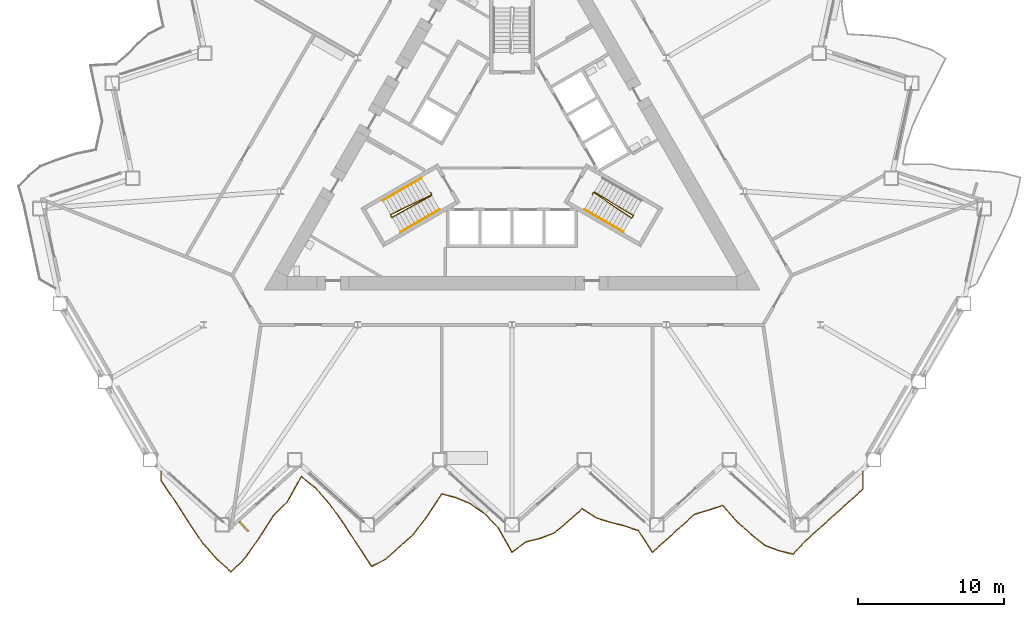
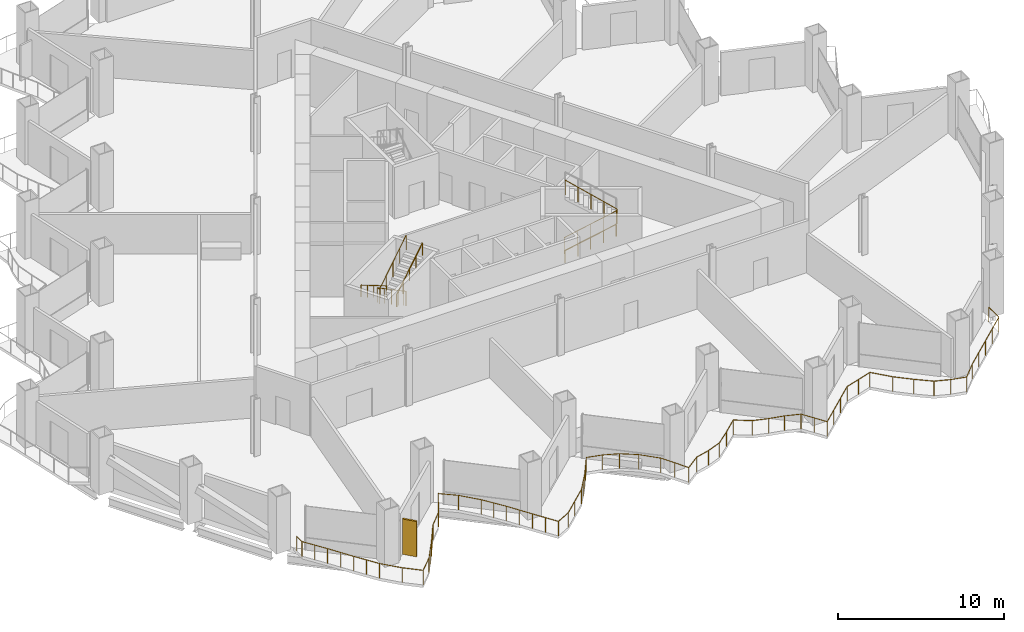
# One storey, part 16 of 20: 6 railings, 1 shading device.
"""IFC4 building model written with IfcOpenShell, lengths in metres."""

from ifc_helpers import new_model, si_unit, direction, frame, origin, origin_2d, place, context, subcontext, project, spatial, rectangle, circle, extrude, material, layer, layer_set, type_object, element, save


model = new_model("IFC4")

# Units and contexts
model_context = context("Model", 3, precision=1e-05, world=origin(), true_north=direction((0.0, 1.0)))
body_context = subcontext(model_context, "Body", "Model", "MODEL_VIEW")
ifc_project = project(units=[si_unit("LENGTHUNIT", "METRE"), si_unit("AREAUNIT", "SQUARE_METRE"), si_unit("VOLUMEUNIT", "CUBIC_METRE"), si_unit("PLANEANGLEUNIT", "RADIAN"), si_unit("MASSUNIT", "GRAM", prefix="KILO")], contexts=[model_context])

# Site, building, storey
site_placement = place(None, origin())
site = spatial("IfcSite", under=ifc_project, at=site_placement, CompositionType="ELEMENT")
building_placement = place(site_placement, origin())
building = spatial("IfcBuilding", under=site, at=building_placement, Name="Cormorant Prow Tower", CompositionType="ELEMENT")
storey_placement = place(building_placement, frame((0.0, 0.0, 38.39990234375)))
storey = spatial("IfcBuildingStorey", under=building, at=storey_placement, Name="L07", CompositionType="ELEMENT", Elevation=38.39990234375)

# Railings
ifc_material_1 = material(Name="Aluminium 6063-T6", Category="aluminium")
railing_type_1 = type_object("IfcRailingType", Name="Balcony guard 1100", PredefinedType="GUARDRAIL", material=ifc_material_1)
railing_1_placement = place(storey_placement, frame((-24.087890625, -22.2685546875, 0.0)))
element("IfcRailing", 1, at=railing_1_placement, inside=storey, type_object=railing_type_1, Name="Balcony guard S", PredefinedType="GUARDRAIL", context=body_context, shape_type="SweptSolid", body=[
    extrude(circle(Radius=0.02392578125, at=origin_2d()), frame((0.0, 0.0, 1.076171875), z_axis=(0.0, -1.0, 0.0), x_axis=(1.0, 0.0, 0.0)), (0.0, 0.0, 1.0), 0.63623046875),
    extrude(circle(Radius=0.02392578125, at=origin_2d()), frame((0.0, -0.63623046875, 1.076171875), z_axis=(0.564130420865, -0.825685695804, 0.0), x_axis=(0.825685695804, 0.564130420865, 0.0)), (0.0, 0.0, 1.0), 1.708251953125),
    extrude(circle(Radius=0.02392578125, at=origin_2d()), frame((0.963623046875, -2.046630859375, 1.076171875), z_axis=(0.541242645962, -0.840866456812, 0.0), x_axis=(0.840866456812, 0.541242645962, 0.0)), (0.0, 0.0, 1.0), 1.7802734375),
    extrude(circle(Radius=0.02392578125, at=origin_2d()), frame((1.92724609375, -3.543701171875, 1.076171875), z_axis=(0.560389601216, -0.828229131853, 0.0), x_axis=(0.828229131853, 0.560389601216, 0.0)), (0.0, 0.0, 1.0), 1.71923828125),
    extrude(circle(Radius=0.02392578125, at=origin_2d()), frame((2.890625, -4.967529296875, 1.076171875), z_axis=(0.668253524619, -0.743933617223, 0.0), x_axis=(0.743933617223, 0.668253524619, 0.0)), (0.0, 0.0, 1.0), 1.44189453125),
    extrude(circle(Radius=0.02392578125, at=origin_2d()), frame((3.854248046875, -6.040283203125, 1.076171875), z_axis=(0.743050653284, -0.669235180378, 0.0), x_axis=(0.669235180378, 0.743050653284, 0.0)), (0.0, 0.0, 1.0), 1.296630859375),
    extrude(circle(Radius=0.02392578125, at=origin_2d()), frame((4.817626953125, -6.907958984375, 1.076171875), z_axis=(0.708182499572, 0.70602942382, 0.0), x_axis=(-0.70602942382, 0.708182499572, 0.0)), (0.0, 0.0, 1.0), 1.360595703125),
    extrude(circle(Radius=0.02392578125, at=origin_2d()), frame((5.78125, -5.947265625, 1.076171875), z_axis=(0.572245109374, 0.820082639005, 0.0), x_axis=(-0.820082639005, 0.572245109374, 0.0)), (0.0, 0.0, 1.0), 1.68359375),
    extrude(circle(Radius=0.02392578125, at=origin_2d()), frame((6.74462890625, -4.566650390625, 1.076171875), z_axis=(0.542180058603, 0.840262330498, 0.0), x_axis=(-0.840262330498, 0.542180058603, 0.0)), (0.0, 0.0, 1.0), 1.77734375),
    extrude(circle(Radius=0.02392578125, at=origin_2d()), frame((7.708251953125, -3.0732421875, 1.076171875), z_axis=(0.699000899641, 0.715120788609, 0.0), x_axis=(-0.715120788609, 0.699000899641, 0.0)), (0.0, 0.0, 1.0), 1.378173828125),
    extrude(circle(Radius=0.02392578125, at=origin_2d()), frame((8.671630859375, -2.087646484375, 1.076171875), z_axis=(0.489672110006, 0.871906660533, 0.0), x_axis=(-0.871906660533, 0.489672110006, 0.0)), (0.0, 0.0, 1.0), 1.9677734375),
    extrude(circle(Radius=0.02392578125, at=origin_2d()), frame((9.63525390625, -0.371826171875, 1.076171875), z_axis=(0.780173921778, -0.625562668146, 0.0), x_axis=(0.625562668146, 0.780173921778, 0.0)), (0.0, 0.0, 1.0), 1.23486328125),
    extrude(circle(Radius=0.02392578125, at=origin_2d()), frame((10.5986328125, -1.144287109375, 1.076171875), z_axis=(0.663142839826, -0.748492868362, 0.0), x_axis=(0.748492868362, 0.663142839826, 0.0)), (0.0, 0.0, 1.0), 1.453125),
    extrude(circle(Radius=0.02392578125, at=origin_2d()), frame((11.562255859375, -2.23193359375, 1.076171875), z_axis=(0.581712103696, -0.813394755586, 0.0), x_axis=(0.813394755586, 0.581712103696, 0.0)), (0.0, 0.0, 1.0), 1.656494140625),
    extrude(circle(Radius=0.02392578125, at=origin_2d()), frame((12.52587890625, -3.579345703125, 1.076171875), z_axis=(0.54421734082, -0.83894426868, 0.0), x_axis=(0.83894426868, 0.54421734082, 0.0)), (0.0, 0.0, 1.0), 1.770263671875),
    extrude(circle(Radius=0.02392578125, at=origin_2d()), frame((13.4892578125, -5.064453125, 1.076171875), z_axis=(0.549133466839, -0.835734668179, 0.0), x_axis=(0.835734668179, 0.549133466839, 0.0)), (0.0, 0.0, 1.0), 1.7548828125),
    extrude(circle(Radius=0.02392578125, at=origin_2d()), frame((14.452880859375, -6.531005859375, 1.076171875), z_axis=(0.891060175297, 0.453885188126, 0.0), x_axis=(-0.453885188126, 0.891060175297, 0.0)), (0.0, 0.0, 1.0), 1.0810546875),
    extrude(circle(Radius=0.02392578125, at=origin_2d()), frame((15.416259765625, -6.040283203125, 1.076171875), z_axis=(0.743228601046, 0.669037552449, 0.0), x_axis=(-0.669037552449, 0.743228601046, 0.0)), (0.0, 0.0, 1.0), 1.296630859375),
    extrude(circle(Radius=0.02392578125, at=origin_2d()), frame((16.3798828125, -5.1728515625, 1.076171875), z_axis=(0.743050653284, 0.669235180378, 0.0), x_axis=(-0.669235180378, 0.743050653284, 0.0)), (0.0, 0.0, 1.0), 1.296630859375),
    extrude(circle(Radius=0.02392578125, at=origin_2d()), frame((17.34326171875, -4.30517578125, 1.076171875), z_axis=(0.601803731083, 0.798644019106, 0.0), x_axis=(-0.798644019106, 0.601803731083, 0.0)), (0.0, 0.0, 1.0), 1.601318359375),
    extrude(circle(Radius=0.02392578125, at=origin_2d()), frame((18.306884765625, -3.0263671875, 1.076171875), z_axis=(0.547570857213, 0.836759318042, 0.0), x_axis=(-0.836759318042, 0.547570857213, 0.0)), (0.0, 0.0, 1.0), 1.75927734375),
    extrude(circle(Radius=0.02392578125, at=origin_2d()), frame((19.270263671875, -1.55419921875, 1.076171875), z_axis=(0.966934765994, -0.255023838713, 0.0), x_axis=(0.255023838713, 0.966934765994, 0.0)), (0.0, 0.0, 1.0), 0.99658203125),
    extrude(circle(Radius=0.02392578125, at=origin_2d()), frame((20.23388671875, -1.808349609375, 1.076171875), z_axis=(0.923208352107, -0.384299803018, 0.0), x_axis=(0.384299803018, 0.923208352107, 0.0)), (0.0, 0.0, 1.0), 1.043701171875),
    extrude(circle(Radius=0.02392578125, at=origin_2d()), frame((21.197509765625, -2.20947265625, 1.076171875), z_axis=(0.822469724274, -0.568808889393, 0.0), x_axis=(0.568808889393, 0.822469724274, 0.0)), (0.0, 0.0, 1.0), 1.17138671875),
    extrude(circle(Radius=0.02392578125, at=origin_2d()), frame((22.160888671875, -2.875732421875, 1.076171875), z_axis=(0.700066090951, -0.714078054768, 0.0), x_axis=(0.714078054768, 0.700066090951, 0.0)), (0.0, 0.0, 1.0), 1.37646484375),
    extrude(circle(Radius=0.02392578125, at=origin_2d()), frame((23.12451171875, -3.858642578125, 1.076171875), z_axis=(0.493201776471, -0.869914942788, 0.0), x_axis=(0.869914942788, 0.493201776471, 0.0)), (0.0, 0.0, 1.0), 1.953369140625),
    extrude(circle(Radius=0.02392578125, at=origin_2d()), frame((24.087890625, -5.557861328125, 1.076171875), z_axis=(0.805112244853, 0.593122477392, 0.0), x_axis=(-0.593122477392, 0.805112244853, 0.0)), (0.0, 0.0, 1.0), 1.196533203125),
    extrude(circle(Radius=0.02392578125, at=origin_2d()), frame((25.05126953125, -4.84814453125, 1.076171875), z_axis=(0.969371980339, 0.245597157421, 0.0), x_axis=(-0.245597157421, 0.969371980339, 0.0)), (0.0, 0.0, 1.0), 0.994140625),
    extrude(circle(Radius=0.02392578125, at=origin_2d()), frame((26.014892578125, -4.60400390625, 1.076171875), z_axis=(0.934742672435, 0.355325394996, 0.0), x_axis=(-0.355325394996, 0.934742672435, 0.0)), (0.0, 0.0, 1.0), 1.030517578125),
    extrude(circle(Radius=0.02392578125, at=origin_2d()), frame((26.978271484375, -4.23779296875, 1.076171875), z_axis=(0.769386385449, 0.63878368004, 0.0), x_axis=(-0.63878368004, 0.769386385449, 0.0)), (0.0, 0.0, 1.0), 1.25244140625),
    extrude(circle(Radius=0.02392578125, at=origin_2d()), frame((27.94189453125, -3.437744140625, 1.076171875), z_axis=(0.743134972725, 0.669141548787, 0.0), x_axis=(-0.669141548787, 0.743134972725, 0.0)), (0.0, 0.0, 1.0), 1.296630859375),
    extrude(circle(Radius=0.02392578125, at=origin_2d()), frame((28.905517578125, -2.570068359375, 1.076171875), z_axis=(0.836102577641, -0.548573130642, 0.0), x_axis=(0.548573130642, 0.836102577641, 0.0)), (0.0, 0.0, 1.0), 1.15234375),
    extrude(circle(Radius=0.02392578125, at=origin_2d()), frame((29.868896484375, -3.2021484375, 1.076171875), z_axis=(0.954165439389, -0.299279658972, 0.0), x_axis=(0.299279658972, 0.954165439389, 0.0)), (0.0, 0.0, 1.0), 1.010009765625),
    extrude(circle(Radius=0.02392578125, at=origin_2d()), frame((30.83251953125, -3.50439453125, 1.076171875), z_axis=(0.970632462035, -0.240567295456, 0.0), x_axis=(0.240567295456, 0.970632462035, 0.0)), (0.0, 0.0, 1.0), 0.992431640625),
    extrude(circle(Radius=0.02392578125, at=origin_2d()), frame((31.7958984375, -3.7431640625, 1.076171875), z_axis=(0.944487111612, -0.328548468265, 0.0), x_axis=(0.328548468265, 0.944487111612, 0.0)), (0.0, 0.0, 1.0), 1.020263671875),
    extrude(circle(Radius=0.02392578125, at=origin_2d()), frame((32.759521484375, -4.078369140625, 1.076171875), z_axis=(0.545668654747, -0.838001025791, 0.0), x_axis=(0.838001025791, 0.545668654747, 0.0)), (0.0, 0.0, 1.0), 1.765380859375),
    extrude(circle(Radius=0.02392578125, at=origin_2d()), frame((33.722900390625, -5.557861328125, 1.076171875), z_axis=(0.743134972725, 0.669141548787, 0.0), x_axis=(-0.669141548787, 0.743134972725, 0.0)), (0.0, 0.0, 1.0), 1.296630859375),
    extrude(circle(Radius=0.02392578125, at=origin_2d()), frame((34.6865234375, -4.690185546875, 1.076171875), z_axis=(0.743144297188, 0.669131193084, 0.0), x_axis=(-0.669131193084, 0.743144297188, 0.0)), (0.0, 0.0, 1.0), 1.29638671875),
    extrude(circle(Radius=0.02392578125, at=origin_2d()), frame((35.64990234375, -3.82275390625, 1.076171875), z_axis=(0.743134972725, 0.669141548787, 0.0), x_axis=(-0.669141548787, 0.743134972725, 0.0)), (0.0, 0.0, 1.0), 1.296630859375),
    extrude(circle(Radius=0.02392578125, at=origin_2d()), frame((36.613525390625, -2.955078125, 1.076171875), z_axis=(0.956893812286, 0.290438000283, 0.0), x_axis=(-0.290438000283, 0.956893812286, 0.0)), (0.0, 0.0, 1.0), 1.007080078125),
    extrude(circle(Radius=0.02392578125, at=origin_2d()), frame((37.5771484375, -2.66259765625, 1.076171875), z_axis=(0.952474581645, 0.304618074515, 0.0), x_axis=(-0.304618074515, 0.952474581645, 0.0)), (0.0, 0.0, 1.0), 1.011474609375),
    extrude(circle(Radius=0.02392578125, at=origin_2d()), frame((38.54052734375, -2.3544921875, 1.076171875), z_axis=(0.664645994415, -0.747158418348, 0.0), x_axis=(0.747158418348, 0.664645994415, 0.0)), (0.0, 0.0, 1.0), 1.44970703125),
    extrude(circle(Radius=0.02392578125, at=origin_2d()), frame((39.504150390625, -3.437744140625, 1.076171875), z_axis=(0.743144297188, -0.669131193084, 0.0), x_axis=(0.669131193084, 0.743144297188, 0.0)), (0.0, 0.0, 1.0), 1.29638671875),
    extrude(circle(Radius=0.02392578125, at=origin_2d()), frame((40.467529296875, -4.30517578125, 1.076171875), z_axis=(0.775819307807, -0.630955150256, 0.0), x_axis=(0.630955150256, 0.775819307807, 0.0)), (0.0, 0.0, 1.0), 1.2421875),
    extrude(circle(Radius=0.02392578125, at=origin_2d()), frame((41.43115234375, -5.0888671875, 1.076171875), z_axis=(0.937321115952, -0.348466821364, 0.0), x_axis=(0.348466821364, 0.937321115952, 0.0)), (0.0, 0.0, 1.0), 1.02783203125),
    extrude(circle(Radius=0.02392578125, at=origin_2d()), frame((42.39453125, -5.447021484375, 1.076171875), z_axis=(0.969780099209, -0.243980653285, 0.0), x_axis=(0.243980653285, 0.969780099209, 0.0)), (0.0, 0.0, 1.0), 0.99365234375),
    extrude(circle(Radius=0.02392578125, at=origin_2d()), frame((43.358154296875, -5.689453125, 1.076171875), z_axis=(0.694060700368, 0.719916484188, 0.0), x_axis=(-0.719916484188, 0.694060700368, 0.0)), (0.0, 0.0, 1.0), 1.387939453125),
    extrude(circle(Radius=0.02392578125, at=origin_2d()), frame((44.321533203125, -4.690185546875, 1.076171875), z_axis=(0.743228601046, 0.669037552449, 0.0), x_axis=(-0.669037552449, 0.743228601046, 0.0)), (0.0, 0.0, 1.0), 1.296630859375),
    extrude(circle(Radius=0.02392578125, at=origin_2d()), frame((45.28515625, -3.82275390625, 1.076171875), z_axis=(0.743050653284, 0.669235180378, 0.0), x_axis=(-0.669235180378, 0.743050653284, 0.0)), (0.0, 0.0, 1.0), 1.296630859375),
    extrude(circle(Radius=0.02392578125, at=origin_2d()), frame((46.24853515625, -2.955078125, 1.076171875), z_axis=(0.743228601046, 0.669037552449, 0.0), x_axis=(-0.669037552449, 0.743228601046, 0.0)), (0.0, 0.0, 1.0), 1.296630859375),
    extrude(circle(Radius=0.02392578125, at=origin_2d()), frame((47.212158203125, -2.087646484375, 1.076171875), z_axis=(0.743134972725, 0.669141548787, 0.0), x_axis=(-0.669141548787, 0.743134972725, 0.0)), (0.0, 0.0, 1.0), 1.296630859375),
    extrude(circle(Radius=0.02392578125, at=origin_2d()), frame((48.17578125, -1.219970703125, 1.076171875), z_axis=(0.0, 1.0, 0.0), x_axis=(-1.0, 0.0, 0.0)), (0.0, 0.0, 1.0), 1.219970703125),
    extrude(circle(Radius=0.02099609375, at=origin_2d()), origin(), (0.0, 0.0, 1.0), 1.052001953125),
    extrude(circle(Radius=0.02099609375, at=origin_2d()), frame((0.0, -0.63623046875, 0.0)), (0.0, 0.0, 1.0), 1.052001953125),
    extrude(circle(Radius=0.02099609375, at=origin_2d()), frame((0.48193359375, -1.34130859375, 0.0)), (0.0, 0.0, 1.0), 1.052001953125),
    extrude(circle(Radius=0.02099609375, at=origin_2d()), frame((0.963623046875, -2.046630859375, 0.0)), (0.0, 0.0, 1.0), 1.052001953125),
    extrude(circle(Radius=0.02099609375, at=origin_2d()), frame((1.4453125, -2.795166015625, 0.0)), (0.0, 0.0, 1.0), 1.052001953125),
    extrude(circle(Radius=0.02099609375, at=origin_2d()), frame((1.92724609375, -3.543701171875, 0.0)), (0.0, 0.0, 1.0), 1.052001953125),
    extrude(circle(Radius=0.02099609375, at=origin_2d()), frame((2.408935546875, -4.255615234375, 0.0)), (0.0, 0.0, 1.0), 1.052001953125),
    extrude(circle(Radius=0.02099609375, at=origin_2d()), frame((2.890625, -4.967529296875, 0.0)), (0.0, 0.0, 1.0), 1.052001953125),
    extrude(circle(Radius=0.02099609375, at=origin_2d()), frame((3.854248046875, -6.040283203125, 0.0)), (0.0, 0.0, 1.0), 1.052001953125),
    extrude(circle(Radius=0.02099609375, at=origin_2d()), frame((4.817626953125, -6.907958984375, 0.0)), (0.0, 0.0, 1.0), 1.052001953125),
    extrude(circle(Radius=0.02099609375, at=origin_2d()), frame((5.78125, -5.947265625, 0.0)), (0.0, 0.0, 1.0), 1.052001953125),
    extrude(circle(Radius=0.02099609375, at=origin_2d()), frame((6.262939453125, -5.2568359375, 0.0)), (0.0, 0.0, 1.0), 1.052001953125),
    extrude(circle(Radius=0.02099609375, at=origin_2d()), frame((6.74462890625, -4.566650390625, 0.0)), (0.0, 0.0, 1.0), 1.052001953125),
    extrude(circle(Radius=0.02099609375, at=origin_2d()), frame((7.2265625, -3.81982421875, 0.0)), (0.0, 0.0, 1.0), 1.052001953125),
    extrude(circle(Radius=0.02099609375, at=origin_2d()), frame((7.708251953125, -3.0732421875, 0.0)), (0.0, 0.0, 1.0), 1.052001953125),
    extrude(circle(Radius=0.02099609375, at=origin_2d()), frame((8.671630859375, -2.087646484375, 0.0)), (0.0, 0.0, 1.0), 1.052001953125),
    extrude(circle(Radius=0.02099609375, at=origin_2d()), frame((9.1533203125, -1.229736328125, 0.0)), (0.0, 0.0, 1.0), 1.052001953125),
    extrude(circle(Radius=0.02099609375, at=origin_2d()), frame((9.63525390625, -0.371826171875, 0.0)), (0.0, 0.0, 1.0), 1.052001953125),
    extrude(circle(Radius=0.02099609375, at=origin_2d()), frame((10.5986328125, -1.144287109375, 0.0)), (0.0, 0.0, 1.0), 1.052001953125),
    extrude(circle(Radius=0.02099609375, at=origin_2d()), frame((11.562255859375, -2.23193359375, 0.0)), (0.0, 0.0, 1.0), 1.052001953125),
    extrude(circle(Radius=0.02099609375, at=origin_2d()), frame((12.0439453125, -2.90576171875, 0.0)), (0.0, 0.0, 1.0), 1.052001953125),
    extrude(circle(Radius=0.02099609375, at=origin_2d()), frame((12.52587890625, -3.579345703125, 0.0)), (0.0, 0.0, 1.0), 1.052001953125),
    extrude(circle(Radius=0.02099609375, at=origin_2d()), frame((13.007568359375, -4.32177734375, 0.0)), (0.0, 0.0, 1.0), 1.052001953125),
    extrude(circle(Radius=0.02099609375, at=origin_2d()), frame((13.4892578125, -5.064453125, 0.0)), (0.0, 0.0, 1.0), 1.052001953125),
    extrude(circle(Radius=0.02099609375, at=origin_2d()), frame((13.97119140625, -5.7978515625, 0.0)), (0.0, 0.0, 1.0), 1.052001953125),
    extrude(circle(Radius=0.02099609375, at=origin_2d()), frame((14.452880859375, -6.531005859375, 0.0)), (0.0, 0.0, 1.0), 1.052001953125),
    extrude(circle(Radius=0.02099609375, at=origin_2d()), frame((15.416259765625, -6.040283203125, 0.0)), (0.0, 0.0, 1.0), 1.052001953125),
    extrude(circle(Radius=0.02099609375, at=origin_2d()), frame((16.3798828125, -5.1728515625, 0.0)), (0.0, 0.0, 1.0), 1.052001953125),
    extrude(circle(Radius=0.02099609375, at=origin_2d()), frame((17.34326171875, -4.30517578125, 0.0)), (0.0, 0.0, 1.0), 1.052001953125),
    extrude(circle(Radius=0.02099609375, at=origin_2d()), frame((17.8251953125, -3.665771484375, 0.0)), (0.0, 0.0, 1.0), 1.052001953125),
    extrude(circle(Radius=0.02099609375, at=origin_2d()), frame((18.306884765625, -3.0263671875, 0.0)), (0.0, 0.0, 1.0), 1.052001953125),
    extrude(circle(Radius=0.02099609375, at=origin_2d()), frame((18.78857421875, -2.290283203125, 0.0)), (0.0, 0.0, 1.0), 1.052001953125),
    extrude(circle(Radius=0.02099609375, at=origin_2d()), frame((19.270263671875, -1.55419921875, 0.0)), (0.0, 0.0, 1.0), 1.052001953125),
    extrude(circle(Radius=0.02099609375, at=origin_2d()), frame((20.23388671875, -1.808349609375, 0.0)), (0.0, 0.0, 1.0), 1.052001953125),
    extrude(circle(Radius=0.02099609375, at=origin_2d()), frame((21.197509765625, -2.20947265625, 0.0)), (0.0, 0.0, 1.0), 1.052001953125),
    extrude(circle(Radius=0.02099609375, at=origin_2d()), frame((22.160888671875, -2.875732421875, 0.0)), (0.0, 0.0, 1.0), 1.052001953125),
    extrude(circle(Radius=0.02099609375, at=origin_2d()), frame((23.12451171875, -3.858642578125, 0.0)), (0.0, 0.0, 1.0), 1.052001953125),
    extrude(circle(Radius=0.02099609375, at=origin_2d()), frame((23.606201171875, -4.708251953125, 0.0)), (0.0, 0.0, 1.0), 1.052001953125),
    extrude(circle(Radius=0.02099609375, at=origin_2d()), frame((24.087890625, -5.557861328125, 0.0)), (0.0, 0.0, 1.0), 1.052001953125),
    extrude(circle(Radius=0.02099609375, at=origin_2d()), frame((25.05126953125, -4.84814453125, 0.0)), (0.0, 0.0, 1.0), 1.052001953125),
    extrude(circle(Radius=0.02099609375, at=origin_2d()), frame((26.014892578125, -4.60400390625, 0.0)), (0.0, 0.0, 1.0), 1.052001953125),
    extrude(circle(Radius=0.02099609375, at=origin_2d()), frame((26.978271484375, -4.23779296875, 0.0)), (0.0, 0.0, 1.0), 1.052001953125),
    extrude(circle(Radius=0.02099609375, at=origin_2d()), frame((27.94189453125, -3.437744140625, 0.0)), (0.0, 0.0, 1.0), 1.052001953125),
    extrude(circle(Radius=0.02099609375, at=origin_2d()), frame((28.905517578125, -2.570068359375, 0.0)), (0.0, 0.0, 1.0), 1.052001953125),
    extrude(circle(Radius=0.02099609375, at=origin_2d()), frame((29.868896484375, -3.2021484375, 0.0)), (0.0, 0.0, 1.0), 1.052001953125),
    extrude(circle(Radius=0.02099609375, at=origin_2d()), frame((30.83251953125, -3.50439453125, 0.0)), (0.0, 0.0, 1.0), 1.052001953125),
    extrude(circle(Radius=0.02099609375, at=origin_2d()), frame((31.7958984375, -3.7431640625, 0.0)), (0.0, 0.0, 1.0), 1.052001953125),
    extrude(circle(Radius=0.02099609375, at=origin_2d()), frame((32.759521484375, -4.078369140625, 0.0)), (0.0, 0.0, 1.0), 1.052001953125),
    extrude(circle(Radius=0.02099609375, at=origin_2d()), frame((33.2412109375, -4.818115234375, 0.0)), (0.0, 0.0, 1.0), 1.052001953125),
    extrude(circle(Radius=0.02099609375, at=origin_2d()), frame((33.722900390625, -5.557861328125, 0.0)), (0.0, 0.0, 1.0), 1.052001953125),
    extrude(circle(Radius=0.02099609375, at=origin_2d()), frame((34.6865234375, -4.690185546875, 0.0)), (0.0, 0.0, 1.0), 1.052001953125),
    extrude(circle(Radius=0.02099609375, at=origin_2d()), frame((35.64990234375, -3.82275390625, 0.0)), (0.0, 0.0, 1.0), 1.052001953125),
    extrude(circle(Radius=0.02099609375, at=origin_2d()), frame((36.613525390625, -2.955078125, 0.0)), (0.0, 0.0, 1.0), 1.052001953125),
    extrude(circle(Radius=0.02099609375, at=origin_2d()), frame((37.5771484375, -2.66259765625, 0.0)), (0.0, 0.0, 1.0), 1.052001953125),
    extrude(circle(Radius=0.02099609375, at=origin_2d()), frame((38.54052734375, -2.3544921875, 0.0)), (0.0, 0.0, 1.0), 1.052001953125),
    extrude(circle(Radius=0.02099609375, at=origin_2d()), frame((39.504150390625, -3.437744140625, 0.0)), (0.0, 0.0, 1.0), 1.052001953125),
    extrude(circle(Radius=0.02099609375, at=origin_2d()), frame((40.467529296875, -4.30517578125, 0.0)), (0.0, 0.0, 1.0), 1.052001953125),
    extrude(circle(Radius=0.02099609375, at=origin_2d()), frame((41.43115234375, -5.0888671875, 0.0)), (0.0, 0.0, 1.0), 1.052001953125),
    extrude(circle(Radius=0.02099609375, at=origin_2d()), frame((42.39453125, -5.447021484375, 0.0)), (0.0, 0.0, 1.0), 1.052001953125),
    extrude(circle(Radius=0.02099609375, at=origin_2d()), frame((43.358154296875, -5.689453125, 0.0)), (0.0, 0.0, 1.0), 1.052001953125),
    extrude(circle(Radius=0.02099609375, at=origin_2d()), frame((44.321533203125, -4.690185546875, 0.0)), (0.0, 0.0, 1.0), 1.052001953125),
    extrude(circle(Radius=0.02099609375, at=origin_2d()), frame((45.28515625, -3.82275390625, 0.0)), (0.0, 0.0, 1.0), 1.052001953125),
    extrude(circle(Radius=0.02099609375, at=origin_2d()), frame((46.24853515625, -2.955078125, 0.0)), (0.0, 0.0, 1.0), 1.052001953125),
    extrude(circle(Radius=0.02099609375, at=origin_2d()), frame((47.212158203125, -2.087646484375, 0.0)), (0.0, 0.0, 1.0), 1.052001953125),
    extrude(circle(Radius=0.02099609375, at=origin_2d()), frame((48.17578125, -1.219970703125, 0.0)), (0.0, 0.0, 1.0), 1.052001953125),
    extrude(circle(Radius=0.02099609375, at=origin_2d()), frame((48.17578125, 0.0, 0.0)), (0.0, 0.0, 1.0), 1.052001953125),
])
ifc_material_2 = material(Name="Stainless steel", Category="steel")
railing_type_2 = type_object("IfcRailingType", Name="Stair guard 1100", PredefinedType="GUARDRAIL", material=ifc_material_2)
railing_2_placement = place(storey_placement, frame((-5.585205078125, -3.137939453125, 0.0)))
element("IfcRailing", 2, at=railing_2_placement, inside=storey, type_object=railing_type_2, Name="L07 ST1 stair guard 1", PredefinedType="GUARDRAIL", context=body_context, shape_type="SweptSolid", body=[
    extrude(circle(Radius=0.02392578125, at=origin_2d()), frame((0.0, 0.0, 1.076171875), z_axis=(0.501036270542, -0.865426285481, 0.0), x_axis=(0.865426285481, 0.501036270542, 0.0)), (0.0, 0.0, 1.0), 0.150146484375),
    extrude(circle(Radius=0.02392578125, at=origin_2d()), frame((0.0751953125, -0.1298828125, 1.076171875), z_axis=(-0.744644002882, -0.368732342607, 0.556364780057), x_axis=(0.443754251299, -0.896148516963, 0.0)), (0.0, 0.0, 1.0), 3.774658203125),
    extrude(circle(Radius=0.02392578125, at=origin_2d()), frame((-2.735595703125, -1.521728515625, 3.17626953125), z_axis=(0.274721127897, -0.961523947641, 0.0), x_axis=(0.961523947641, 0.274721127897, 0.0)), (0.0, 0.0, 1.0), 0.2060546875),
    extrude(circle(Radius=0.02392578125, at=origin_2d()), frame((-2.678955078125, -1.719970703125, 3.17626953125), z_axis=(0.725738344322, 0.403670096391, 0.557094524171), x_axis=(-0.486086505765, 0.873910698477, 0.0)), (0.0, 0.0, 1.0), 3.769775390625),
    extrude(circle(Radius=0.02099609375, at=origin_2d()), origin(), (0.0, 0.0, 1.0), 1.052001953125),
    extrude(circle(Radius=0.02099609375, at=origin_2d()), frame((0.0751953125, -0.1298828125, 0.0)), (0.0, 0.0, 1.0), 1.052001953125),
    extrude(circle(Radius=0.02099609375, at=origin_2d()), frame((-0.62744140625, -0.477783203125, 0.52490234375)), (0.0, 0.0, 1.0), 1.052001953125),
    extrude(circle(Radius=0.02099609375, at=origin_2d()), frame((-1.330078125, -0.82568359375, 1.050048828125)), (0.0, 0.0, 1.0), 1.052001953125),
    extrude(circle(Radius=0.02099609375, at=origin_2d()), frame((-2.032958984375, -1.173828125, 1.5751953125)), (0.0, 0.0, 1.0), 1.052001953125),
    extrude(circle(Radius=0.02099609375, at=origin_2d()), frame((-2.735595703125, -1.521728515625, 2.10009765625)), (0.0, 0.0, 1.0), 1.052001953125),
    extrude(circle(Radius=0.02099609375, at=origin_2d()), frame((-2.678955078125, -1.719970703125, 2.10009765625)), (0.0, 0.0, 1.0), 1.052001953125),
    extrude(circle(Radius=0.02099609375, at=origin_2d()), frame((-1.9951171875, -1.339599609375, 2.625)), (0.0, 0.0, 1.0), 1.052001953125),
    extrude(circle(Radius=0.02099609375, at=origin_2d()), frame((-1.31103515625, -0.958984375, 3.150146484375)), (0.0, 0.0, 1.0), 1.052001953125),
    extrude(circle(Radius=0.02099609375, at=origin_2d()), frame((-0.626953125, -0.57861328125, 3.67529296875)), (0.0, 0.0, 1.0), 1.052001953125),
    extrude(circle(Radius=0.02099609375, at=origin_2d()), frame((0.056884765625, -0.1982421875, 4.2001953125)), (0.0, 0.0, 1.0), 1.052001953125),
])
railing_3_placement = place(storey_placement, frame((5.510009765625, -3.267822265625, 0.0)))
element("IfcRailing", 3, at=railing_3_placement, inside=storey, type_object=railing_type_2, Name="L07 ST2 stair guard 1", PredefinedType="GUARDRAIL", context=body_context, shape_type="SweptSolid", body=[
    extrude(circle(Radius=0.02392578125, at=origin_2d()), frame((0.0, 0.0, 1.076171875), z_axis=(0.501036270542, 0.865426285481, 0.0), x_axis=(-0.865426285481, 0.501036270542, 0.0)), (0.0, 0.0, 1.0), 0.150146484375),
    extrude(circle(Radius=0.02392578125, at=origin_2d()), frame((0.0751953125, 0.1298828125, 1.076171875), z_axis=(0.691630634645, -0.46052652377, 0.556383308633), x_axis=(0.554233058506, 0.832361530141, 0.0)), (0.0, 0.0, 1.0), 3.774658203125),
    extrude(circle(Radius=0.02392578125, at=origin_2d()), frame((2.685791015625, -1.6083984375, 3.17626953125), z_axis=(0.695164929852, 0.718850276695, 0.0), x_axis=(-0.718850276695, 0.695164929852, 0.0)), (0.0, 0.0, 1.0), 0.2060546875),
    extrude(circle(Radius=0.02392578125, at=origin_2d()), frame((2.8291015625, -1.460205078125, 3.17626953125), z_axis=(-0.712463317363, 0.426661970256, 0.557095669117), x_axis=(-0.513773053629, -0.857926132814, 0.0)), (0.0, 0.0, 1.0), 3.769775390625),
    extrude(circle(Radius=0.02099609375, at=origin_2d()), origin(), (0.0, 0.0, 1.0), 1.052001953125),
    extrude(circle(Radius=0.02099609375, at=origin_2d()), frame((0.0751953125, 0.1298828125, 0.0)), (0.0, 0.0, 1.0), 1.052001953125),
    extrude(circle(Radius=0.02099609375, at=origin_2d()), frame((0.727783203125, -0.3046875, 0.52490234375)), (0.0, 0.0, 1.0), 1.052001953125),
    extrude(circle(Radius=0.02099609375, at=origin_2d()), frame((1.38037109375, -0.7392578125, 1.050048828125)), (0.0, 0.0, 1.0), 1.052001953125),
    extrude(circle(Radius=0.02099609375, at=origin_2d()), frame((2.033203125, -1.173828125, 1.5751953125)), (0.0, 0.0, 1.0), 1.052001953125),
    extrude(circle(Radius=0.02099609375, at=origin_2d()), frame((2.685791015625, -1.6083984375, 2.10009765625)), (0.0, 0.0, 1.0), 1.052001953125),
    extrude(circle(Radius=0.02099609375, at=origin_2d()), frame((2.8291015625, -1.460205078125, 2.10009765625)), (0.0, 0.0, 1.0), 1.052001953125),
    extrude(circle(Radius=0.02099609375, at=origin_2d()), frame((2.15771484375, -1.05810546875, 2.625)), (0.0, 0.0, 1.0), 1.052001953125),
    extrude(circle(Radius=0.02099609375, at=origin_2d()), frame((1.486328125, -0.656005859375, 3.150146484375)), (0.0, 0.0, 1.0), 1.052001953125),
    extrude(circle(Radius=0.02099609375, at=origin_2d()), frame((0.814697265625, -0.25390625, 3.67529296875)), (0.0, 0.0, 1.0), 1.052001953125),
    extrude(circle(Radius=0.02099609375, at=origin_2d()), frame((0.143310546875, 0.148193359375, 4.2001953125)), (0.0, 0.0, 1.0), 1.052001953125),
])
ifc_material_3 = material(Name="Stainless steel", Category="steel")
railing_type_3 = type_object("IfcRailingType", Name="Stair handrail 900", PredefinedType="HANDRAIL", material=ifc_material_3)
railing_4_placement = place(storey_placement, frame((-6.212890625, -2.150634765625, 0.175048828125)))
element("IfcRailing", 4, at=railing_4_placement, inside=storey, type_object=railing_type_3, Name="L07 ST1 stair handrail 1", PredefinedType="HANDRAIL", context=body_context, shape_type="SweptSolid", body=[
    extrude(circle(Radius=0.02392578125, at=origin_2d()), frame((0.0, 0.0, 0.8759765625), z_axis=(-0.734394994316, -0.423994474112, 0.52999309264), x_axis=(0.499992328818, -0.866029832698, 0.0)), (0.0, 0.0, 1.0), 3.63232421875),
    extrude(circle(Radius=0.02099609375, at=origin_2d()), origin(), (0.0, 0.0, 1.0), 0.851806640625),
    extrude(circle(Radius=0.02099609375, at=origin_2d()), frame((-0.6669921875, -0.385009765625, 0.481201171875)), (0.0, 0.0, 1.0), 0.851806640625),
    extrude(circle(Radius=0.02099609375, at=origin_2d()), frame((-1.333740234375, -0.77001953125, 0.96240234375)), (0.0, 0.0, 1.0), 0.851806640625),
    extrude(circle(Radius=0.02099609375, at=origin_2d()), frame((-2.00048828125, -1.155029296875, 1.44384765625)), (0.0, 0.0, 1.0), 0.851806640625),
    extrude(circle(Radius=0.02099609375, at=origin_2d()), frame((-2.66748046875, -1.5400390625, 1.925048828125)), (0.0, 0.0, 1.0), 0.851806640625),
])
railing_5_placement = place(storey_placement, frame((-7.63623046875, -5.84521484375, 2.275146484375)))
element("IfcRailing", 5, at=railing_5_placement, inside=storey, type_object=railing_type_3, Name="L07 ST1 stair handrail 2", PredefinedType="HANDRAIL", context=body_context, shape_type="SweptSolid", body=[
    extrude(circle(Radius=0.02392578125, at=origin_2d()), frame((0.0, 0.0, 0.8759765625), z_axis=(0.734364028329, 0.424015404183, 0.530019255228), x_axis=(-0.500026652407, 0.866010015463, 0.0)), (0.0, 0.0, 1.0), 3.632080078125),
    extrude(circle(Radius=0.02099609375, at=origin_2d()), origin(), (0.0, 0.0, 1.0), 0.851806640625),
    extrude(circle(Radius=0.02099609375, at=origin_2d()), frame((0.666748046875, 0.385009765625, 0.481201171875)), (0.0, 0.0, 1.0), 0.851806640625),
    extrude(circle(Radius=0.02099609375, at=origin_2d()), frame((1.33349609375, 0.77001953125, 0.96240234375)), (0.0, 0.0, 1.0), 0.851806640625),
    extrude(circle(Radius=0.02099609375, at=origin_2d()), frame((2.00048828125, 1.155029296875, 1.44384765625)), (0.0, 0.0, 1.0), 0.851806640625),
    extrude(circle(Radius=0.02099609375, at=origin_2d()), frame((2.667236328125, 1.5400390625, 1.925048828125)), (0.0, 0.0, 1.0), 0.851806640625),
])
railing_6_placement = place(storey_placement, frame((4.968994140625, -4.30517578125, 0.175048828125)))
element("IfcRailing", 6, at=railing_6_placement, inside=storey, type_object=railing_type_3, Name="L07 ST2 stair handrail 1", PredefinedType="HANDRAIL", context=body_context, shape_type="SweptSolid", body=[
    extrude(circle(Radius=0.02392578125, at=origin_2d()), frame((0.0, 0.0, 0.8759765625), z_axis=(0.734364028329, -0.424015404183, 0.530019255228), x_axis=(0.500026652407, 0.866010015463, 0.0)), (0.0, 0.0, 1.0), 3.632080078125),
    extrude(circle(Radius=0.02099609375, at=origin_2d()), origin(), (0.0, 0.0, 1.0), 0.851806640625),
    extrude(circle(Radius=0.02099609375, at=origin_2d()), frame((0.666748046875, -0.385009765625, 0.481201171875)), (0.0, 0.0, 1.0), 0.851806640625),
    extrude(circle(Radius=0.02099609375, at=origin_2d()), frame((1.33349609375, -0.77001953125, 0.96240234375)), (0.0, 0.0, 1.0), 0.851806640625),
    extrude(circle(Radius=0.02099609375, at=origin_2d()), frame((2.00048828125, -1.155029296875, 1.44384765625)), (0.0, 0.0, 1.0), 0.851806640625),
    extrude(circle(Radius=0.02099609375, at=origin_2d()), frame((2.667236328125, -1.5400390625, 1.925048828125)), (0.0, 0.0, 1.0), 0.851806640625),
])

# Shading device
ifc_material_4 = material(Name="Terracotta", Category="masonry")
ifc_layer = layer(ifc_material_4, 0.1201171875)
ifc_layer_set = layer_set([ifc_layer], Name="Terracotta")
shading_device_type = type_object("IfcShadingDeviceType", Name="Terracotta baguette fin 120x900x2600", PredefinedType="USERDEFINED", material=ifc_layer_set)
shading_device_placement = place(storey_placement, frame((-18.402099609375, -26.05029296875, 0.0), z_axis=(0.0, 0.0, 1.0), x_axis=(0.743144833547, 0.669130597396, 0.0)))
element("IfcShadingDevice", 7, at=shading_device_placement, inside=storey, type_object=shading_device_type, Name="Baguette fin S01", ObjectType="BAGUETTE", PredefinedType="USERDEFINED", context=body_context, shape_type="SweptSolid", body=[
    extrude(rectangle(XDim=0.1201171875, YDim=0.89990234375, at=origin_2d()), origin(), (0.0, 0.0, 1.0), 2.60009765625),
])

save(model, "model.ifc")
